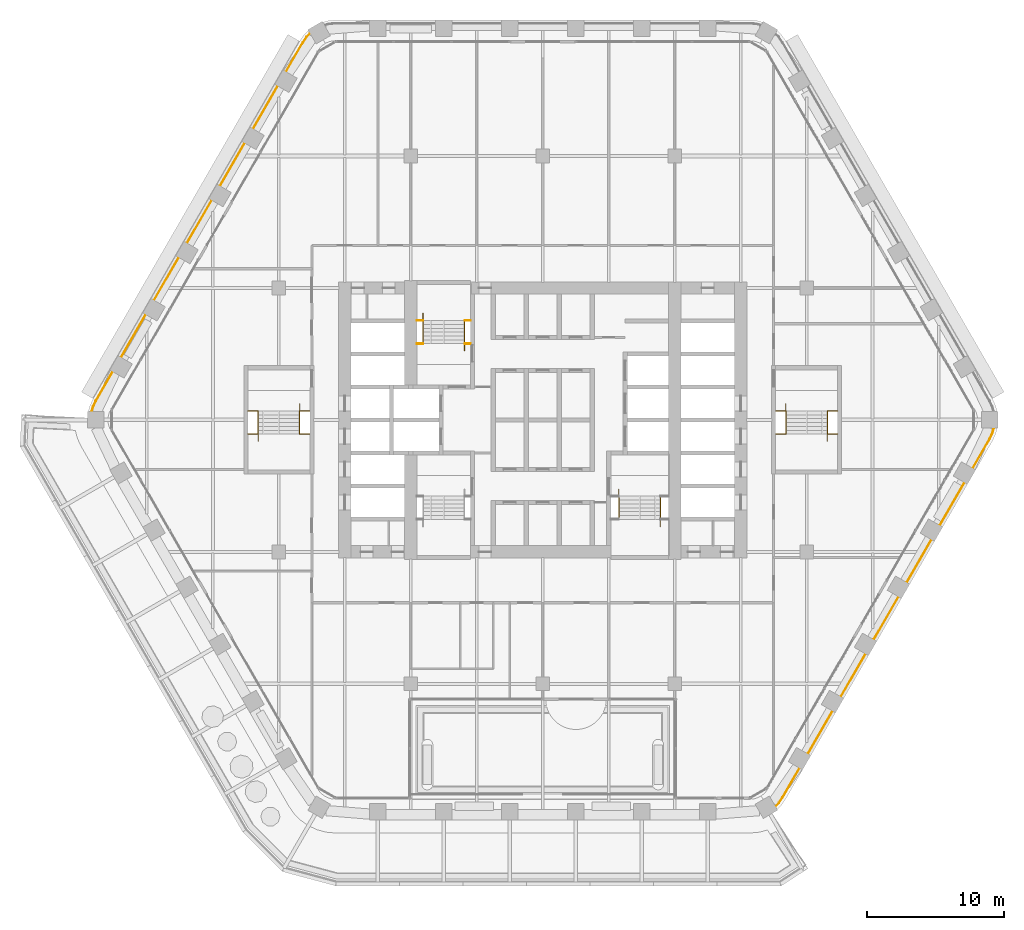
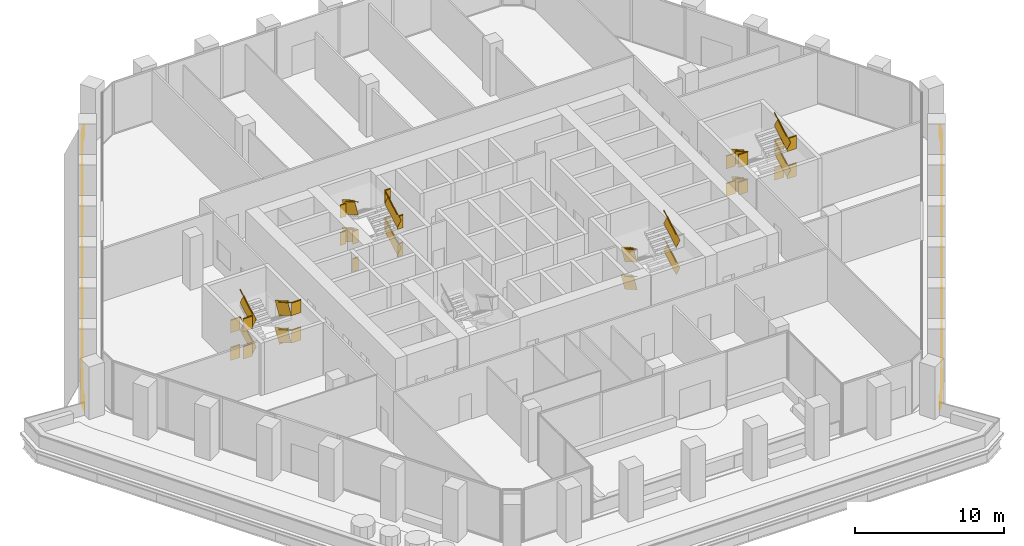
# One storey, part 26 of 27: 9 railings.
"""IFC4 building model written with IfcOpenShell, lengths in metres."""

from ifc_helpers import new_model, si_unit, direction, frame, frame_2d, origin, origin_2d, place, context, subcontext, project, spatial, rectangle, extrude, material, type_object, element, save


model = new_model("IFC4")

# Units and contexts
model_context = context("Model", 3, precision=1e-05, world=origin(), true_north=direction((0.0, 1.0)))
body_context = subcontext(model_context, "Body", "Model", "MODEL_VIEW")
ifc_project = project(units=[si_unit("LENGTHUNIT", "METRE"), si_unit("AREAUNIT", "SQUARE_METRE"), si_unit("VOLUMEUNIT", "CUBIC_METRE"), si_unit("PLANEANGLEUNIT", "RADIAN"), si_unit("MASSUNIT", "GRAM", prefix="KILO")], contexts=[model_context])

# Site, building, storey
site_placement = place(None, origin())
site = spatial("IfcSite", under=ifc_project, at=site_placement, CompositionType="ELEMENT")
building_placement = place(site_placement, origin())
building = spatial("IfcBuilding", under=site, at=building_placement, Name="Kolab Exchange Tower", CompositionType="ELEMENT")
storey_placement = place(building_placement, frame((0.0, 0.0, 109.39990234375)))
storey = spatial("IfcBuildingStorey", under=building, at=storey_placement, Name="L21", CompositionType="ELEMENT", Elevation=109.39990234375)

# Railings
ifc_material_1 = material(Name="Stainless steel 316", Category="steel")
railing_type_1 = type_object("IfcRailingType", Name="GUARD 1100", PredefinedType="GUARDRAIL", material=ifc_material_1)
railing_1_placement = place(storey_placement, frame((-9.14990234375, 5.550048828125, 0.0)))
element("IfcRailing", 1, at=railing_1_placement, inside=storey, type_object=railing_type_1, Name="Guard ST1", PredefinedType="GUARDRAIL", context=body_context, shape_type="SweptSolid", body=[
    extrude(rectangle(XDim=0.05, YDim=0.05, at=origin_2d()), frame((0.0, 0.0, 1.0751953125), z_axis=(1.0, 0.0, 0.0), x_axis=(0.0, 1.0, 0.0)), (0.0, 0.0, 1.0), 0.43994140625),
    extrude(rectangle(XDim=0.012, YDim=1.05009765625, at=frame_2d((0.0, 0.525146484375))), frame((0.0, 0.0, 0.0), z_axis=(1.0, 0.0, 0.0), x_axis=(0.0, 1.0, 0.0)), (0.0, 0.0, 1.0), 0.43994140625),
    extrude(rectangle(XDim=0.05, YDim=0.05, at=origin_2d()), frame((3.4599609375, 0.0, 1.0751953125), z_axis=(1.0, 0.0, 0.0), x_axis=(0.0, 1.0, 0.0)), (0.0, 0.0, 1.0), 0.43994140625),
    extrude(rectangle(XDim=0.012, YDim=1.05009765625, at=frame_2d((0.0, 0.525146484375))), frame((3.4599609375, 0.0, 0.0), z_axis=(1.0, 0.0, 0.0), x_axis=(0.0, 1.0, 0.0)), (0.0, 0.0, 1.0), 0.43994140625),
    extrude(rectangle(XDim=0.05, YDim=0.05, at=origin_2d()), frame((0.0, 1.679931640625, 2.2001953125), z_axis=(1.0, 0.0, 0.0), x_axis=(0.0, 1.0, 0.0)), (0.0, 0.0, 1.0), 0.43994140625),
    extrude(rectangle(XDim=0.012, YDim=1.05009765625, at=frame_2d((0.0, 0.525146484375))), frame((0.0, 1.679931640625, 1.125), z_axis=(1.0, 0.0, 0.0), x_axis=(0.0, 1.0, 0.0)), (0.0, 0.0, 1.0), 0.43994140625),
    extrude(rectangle(XDim=0.05, YDim=0.05, at=origin_2d()), frame((3.4599609375, 1.679931640625, 2.2001953125), z_axis=(1.0, 0.0, 0.0), x_axis=(0.0, 1.0, 0.0)), (0.0, 0.0, 1.0), 0.43994140625),
    extrude(rectangle(XDim=0.012, YDim=1.05009765625, at=frame_2d((0.0, 0.525146484375))), frame((3.4599609375, 1.679931640625, 1.125), z_axis=(1.0, 0.0, 0.0), x_axis=(0.0, 1.0, 0.0)), (0.0, 0.0, 1.0), 0.43994140625),
    extrude(rectangle(XDim=0.05, YDim=0.05, at=origin_2d()), frame((0.0, 0.0, 3.3251953125), z_axis=(1.0, 0.0, 0.0), x_axis=(0.0, 1.0, 0.0)), (0.0, 0.0, 1.0), 0.43994140625),
    extrude(rectangle(XDim=0.012, YDim=1.05009765625, at=frame_2d((0.0, 0.525146484375))), frame((0.0, 0.0, 2.25), z_axis=(1.0, 0.0, 0.0), x_axis=(0.0, 1.0, 0.0)), (0.0, 0.0, 1.0), 0.43994140625),
    extrude(rectangle(XDim=0.05, YDim=0.05, at=origin_2d()), frame((3.4599609375, 0.0, 3.3251953125), z_axis=(1.0, 0.0, 0.0), x_axis=(0.0, 1.0, 0.0)), (0.0, 0.0, 1.0), 0.43994140625),
    extrude(rectangle(XDim=0.012, YDim=1.05009765625, at=frame_2d((0.0, 0.525146484375))), frame((3.4599609375, 0.0, 2.25), z_axis=(1.0, 0.0, 0.0), x_axis=(0.0, 1.0, 0.0)), (0.0, 0.0, 1.0), 0.43994140625),
    extrude(rectangle(XDim=0.05, YDim=0.05, at=origin_2d()), frame((0.0, 1.679931640625, 4.4501953125), z_axis=(1.0, 0.0, 0.0), x_axis=(0.0, 1.0, 0.0)), (0.0, 0.0, 1.0), 0.43994140625),
    extrude(rectangle(XDim=0.012, YDim=1.05009765625, at=frame_2d((0.0, 0.525146484375))), frame((0.0, 1.679931640625, 3.375), z_axis=(1.0, 0.0, 0.0), x_axis=(0.0, 1.0, 0.0)), (0.0, 0.0, 1.0), 0.43994140625),
    extrude(rectangle(XDim=0.05, YDim=0.05, at=origin_2d()), frame((3.4599609375, 1.679931640625, 4.4501953125), z_axis=(1.0, 0.0, 0.0), x_axis=(0.0, 1.0, 0.0)), (0.0, 0.0, 1.0), 0.43994140625),
    extrude(rectangle(XDim=0.012, YDim=1.05009765625, at=frame_2d((0.0, 0.525146484375))), frame((3.4599609375, 1.679931640625, 3.375), z_axis=(1.0, 0.0, 0.0), x_axis=(0.0, 1.0, 0.0)), (0.0, 0.0, 1.0), 0.43994140625),
])
railing_2_placement = place(storey_placement, frame((-5.68994140625, 5.550048828125, 0.160888671875)))
element("IfcRailing", 2, at=railing_2_placement, inside=storey, type_object=railing_type_1, Name="Handrail guard ST1", PredefinedType="GUARDRAIL", context=body_context, shape_type="SweptSolid", body=[
    extrude(rectangle(XDim=0.05, YDim=0.05, at=origin_2d()), frame((0.0, 0.0, 1.0751953125), z_axis=(0.0, 0.867318599139, 0.497753400378), x_axis=(-1.0, 0.0, 0.0)), (0.0, 0.0, 1.0), 1.93701171875),
    extrude(rectangle(XDim=0.012, YDim=1.05009765625, at=frame_2d((0.0, 0.525146484375))), frame((0.0, 0.0, 0.0), z_axis=(0.0, 0.867318599139, 0.497753400378), x_axis=(-1.0, 0.0, 0.0)), (0.0, 0.0, 1.0), 1.93701171875),
    extrude(rectangle(XDim=0.05, YDim=0.05, at=origin_2d()), frame((-3.02001953125, 1.679931640625, 2.2001953125), z_axis=(0.0, -0.867318599139, 0.497753400378), x_axis=(1.0, 0.0, 0.0)), (0.0, 0.0, 1.0), 1.93701171875),
    extrude(rectangle(XDim=0.012, YDim=1.05009765625, at=frame_2d((0.0, 0.525146484375))), frame((-3.02001953125, 1.679931640625, 1.125), z_axis=(0.0, -0.867318599139, 0.497753400378), x_axis=(1.0, 0.0, 0.0)), (0.0, 0.0, 1.0), 1.93701171875),
    extrude(rectangle(XDim=0.05, YDim=0.05, at=origin_2d()), frame((0.0, 0.0, 3.3251953125), z_axis=(0.0, 0.867318599139, 0.497753400378), x_axis=(-1.0, 0.0, 0.0)), (0.0, 0.0, 1.0), 1.93701171875),
    extrude(rectangle(XDim=0.012, YDim=1.05009765625, at=frame_2d((0.0, 0.525146484375))), frame((0.0, 0.0, 2.25), z_axis=(0.0, 0.867318599139, 0.497753400378), x_axis=(-1.0, 0.0, 0.0)), (0.0, 0.0, 1.0), 1.93701171875),
    extrude(rectangle(XDim=0.05, YDim=0.05, at=origin_2d()), frame((-3.02001953125, 1.679931640625, 4.4501953125), z_axis=(0.0, -0.867318599139, 0.497753400378), x_axis=(1.0, 0.0, 0.0)), (0.0, 0.0, 1.0), 1.93701171875),
    extrude(rectangle(XDim=0.012, YDim=1.05009765625, at=frame_2d((0.0, 0.525146484375))), frame((-3.02001953125, 1.679931640625, 3.375), z_axis=(0.0, -0.867318599139, 0.497753400378), x_axis=(1.0, 0.0, 0.0)), (0.0, 0.0, 1.0), 1.93701171875),
])
railing_3_placement = place(storey_placement, frame((5.5400390625, -5.550048828125, 0.160888671875)))
element("IfcRailing", 3, at=railing_3_placement, inside=storey, type_object=railing_type_1, Name="Handrail guard ST2", PredefinedType="GUARDRAIL", context=body_context, shape_type="SweptSolid", body=[
    extrude(rectangle(XDim=0.05, YDim=0.05, at=origin_2d()), frame((0.0, 0.0, 1.0751953125), z_axis=(0.0, -0.867318599139, 0.497753400378), x_axis=(1.0, 0.0, 0.0)), (0.0, 0.0, 1.0), 1.93701171875),
    extrude(rectangle(XDim=0.012, YDim=1.05009765625, at=frame_2d((0.0, 0.525146484375))), frame((0.0, 0.0, 0.0), z_axis=(0.0, -0.867318599139, 0.497753400378), x_axis=(1.0, 0.0, 0.0)), (0.0, 0.0, 1.0), 1.93701171875),
    extrude(rectangle(XDim=0.05, YDim=0.05, at=origin_2d()), frame((3.02001953125, -1.679931640625, 2.2001953125), z_axis=(0.0, 0.867318599139, 0.497753400378), x_axis=(-1.0, 0.0, 0.0)), (0.0, 0.0, 1.0), 1.93701171875),
    extrude(rectangle(XDim=0.012, YDim=1.05009765625, at=frame_2d((0.0, 0.525146484375))), frame((3.02001953125, -1.679931640625, 1.125), z_axis=(0.0, 0.867318599139, 0.497753400378), x_axis=(-1.0, 0.0, 0.0)), (0.0, 0.0, 1.0), 1.93701171875),
    extrude(rectangle(XDim=0.05, YDim=0.05, at=origin_2d()), frame((0.0, 0.0, 3.3251953125), z_axis=(0.0, -0.867318599139, 0.497753400378), x_axis=(1.0, 0.0, 0.0)), (0.0, 0.0, 1.0), 1.93701171875),
    extrude(rectangle(XDim=0.012, YDim=1.05009765625, at=frame_2d((0.0, 0.525146484375))), frame((0.0, 0.0, 2.25), z_axis=(0.0, -0.867318599139, 0.497753400378), x_axis=(1.0, 0.0, 0.0)), (0.0, 0.0, 1.0), 1.93701171875),
    extrude(rectangle(XDim=0.05, YDim=0.05, at=origin_2d()), frame((3.02001953125, -1.679931640625, 4.4501953125), z_axis=(0.0, 0.867318599139, 0.497753400378), x_axis=(-1.0, 0.0, 0.0)), (0.0, 0.0, 1.0), 1.93701171875),
    extrude(rectangle(XDim=0.012, YDim=1.05009765625, at=frame_2d((0.0, 0.525146484375))), frame((3.02001953125, -1.679931640625, 3.375), z_axis=(0.0, 0.867318599139, 0.497753400378), x_axis=(-1.0, 0.0, 0.0)), (0.0, 0.0, 1.0), 1.93701171875),
])
railing_4_placement = place(storey_placement, frame((16.949951171875, 0.64990234375, 0.0)))
element("IfcRailing", 4, at=railing_4_placement, inside=storey, type_object=railing_type_1, Name="Guard ST4", PredefinedType="GUARDRAIL", context=body_context, shape_type="SweptSolid", body=[
    extrude(rectangle(XDim=0.05, YDim=0.05, at=origin_2d()), frame((0.0, 0.0, 1.0751953125), z_axis=(1.0, 0.0, 0.0), x_axis=(0.0, 1.0, 0.0)), (0.0, 0.0, 1.0), 0.739990234375),
    extrude(rectangle(XDim=0.012, YDim=1.05009765625, at=frame_2d((0.0, 0.525146484375))), frame((0.0, 0.0, 0.0), z_axis=(1.0, 0.0, 0.0), x_axis=(0.0, 1.0, 0.0)), (0.0, 0.0, 1.0), 0.739990234375),
    extrude(rectangle(XDim=0.05, YDim=0.05, at=origin_2d()), frame((3.760009765625, 0.0, 1.0751953125), z_axis=(1.0, 0.0, 0.0), x_axis=(0.0, 1.0, 0.0)), (0.0, 0.0, 1.0), 0.739990234375),
    extrude(rectangle(XDim=0.012, YDim=1.05009765625, at=frame_2d((0.0, 0.525146484375))), frame((3.760009765625, 0.0, 0.0), z_axis=(1.0, 0.0, 0.0), x_axis=(0.0, 1.0, 0.0)), (0.0, 0.0, 1.0), 0.739990234375),
    extrude(rectangle(XDim=0.05, YDim=0.05, at=origin_2d()), frame((0.0, -1.679931640625, 2.2001953125), z_axis=(1.0, 0.0, 0.0), x_axis=(0.0, 1.0, 0.0)), (0.0, 0.0, 1.0), 0.739990234375),
    extrude(rectangle(XDim=0.012, YDim=1.05009765625, at=frame_2d((0.0, 0.525146484375))), frame((0.0, -1.679931640625, 1.125), z_axis=(1.0, 0.0, 0.0), x_axis=(0.0, 1.0, 0.0)), (0.0, 0.0, 1.0), 0.739990234375),
    extrude(rectangle(XDim=0.05, YDim=0.05, at=origin_2d()), frame((3.760009765625, -1.679931640625, 2.2001953125), z_axis=(1.0, 0.0, 0.0), x_axis=(0.0, 1.0, 0.0)), (0.0, 0.0, 1.0), 0.739990234375),
    extrude(rectangle(XDim=0.012, YDim=1.05009765625, at=frame_2d((0.0, 0.525146484375))), frame((3.760009765625, -1.679931640625, 1.125), z_axis=(1.0, 0.0, 0.0), x_axis=(0.0, 1.0, 0.0)), (0.0, 0.0, 1.0), 0.739990234375),
    extrude(rectangle(XDim=0.05, YDim=0.05, at=origin_2d()), frame((0.0, 0.0, 3.3251953125), z_axis=(1.0, 0.0, 0.0), x_axis=(0.0, 1.0, 0.0)), (0.0, 0.0, 1.0), 0.739990234375),
    extrude(rectangle(XDim=0.012, YDim=1.05009765625, at=frame_2d((0.0, 0.525146484375))), frame((0.0, 0.0, 2.25), z_axis=(1.0, 0.0, 0.0), x_axis=(0.0, 1.0, 0.0)), (0.0, 0.0, 1.0), 0.739990234375),
    extrude(rectangle(XDim=0.05, YDim=0.05, at=origin_2d()), frame((3.760009765625, 0.0, 3.3251953125), z_axis=(1.0, 0.0, 0.0), x_axis=(0.0, 1.0, 0.0)), (0.0, 0.0, 1.0), 0.739990234375),
    extrude(rectangle(XDim=0.012, YDim=1.05009765625, at=frame_2d((0.0, 0.525146484375))), frame((3.760009765625, 0.0, 2.25), z_axis=(1.0, 0.0, 0.0), x_axis=(0.0, 1.0, 0.0)), (0.0, 0.0, 1.0), 0.739990234375),
    extrude(rectangle(XDim=0.05, YDim=0.05, at=origin_2d()), frame((0.0, -1.679931640625, 4.4501953125), z_axis=(1.0, 0.0, 0.0), x_axis=(0.0, 1.0, 0.0)), (0.0, 0.0, 1.0), 0.739990234375),
    extrude(rectangle(XDim=0.012, YDim=1.05009765625, at=frame_2d((0.0, 0.525146484375))), frame((0.0, -1.679931640625, 3.375), z_axis=(1.0, 0.0, 0.0), x_axis=(0.0, 1.0, 0.0)), (0.0, 0.0, 1.0), 0.739990234375),
    extrude(rectangle(XDim=0.05, YDim=0.05, at=origin_2d()), frame((3.760009765625, -1.679931640625, 4.4501953125), z_axis=(1.0, 0.0, 0.0), x_axis=(0.0, 1.0, 0.0)), (0.0, 0.0, 1.0), 0.739990234375),
    extrude(rectangle(XDim=0.012, YDim=1.05009765625, at=frame_2d((0.0, 0.525146484375))), frame((3.760009765625, -1.679931640625, 3.375), z_axis=(1.0, 0.0, 0.0), x_axis=(0.0, 1.0, 0.0)), (0.0, 0.0, 1.0), 0.739990234375),
])
railing_5_placement = place(storey_placement, frame((17.68994140625, 0.64990234375, 0.160888671875)))
element("IfcRailing", 5, at=railing_5_placement, inside=storey, type_object=railing_type_1, Name="Handrail guard ST4", PredefinedType="GUARDRAIL", context=body_context, shape_type="SweptSolid", body=[
    extrude(rectangle(XDim=0.05, YDim=0.05, at=origin_2d()), frame((0.0, 0.0, 1.0751953125), z_axis=(0.0, -0.867318599139, 0.497753400378), x_axis=(1.0, 0.0, 0.0)), (0.0, 0.0, 1.0), 1.93701171875),
    extrude(rectangle(XDim=0.012, YDim=1.05009765625, at=frame_2d((0.0, 0.525146484375))), frame((0.0, 0.0, 0.0), z_axis=(0.0, -0.867318599139, 0.497753400378), x_axis=(1.0, 0.0, 0.0)), (0.0, 0.0, 1.0), 1.93701171875),
    extrude(rectangle(XDim=0.05, YDim=0.05, at=origin_2d()), frame((3.02001953125, -1.679931640625, 2.2001953125), z_axis=(0.0, 0.867318599139, 0.497753400378), x_axis=(-1.0, 0.0, 0.0)), (0.0, 0.0, 1.0), 1.93701171875),
    extrude(rectangle(XDim=0.012, YDim=1.05009765625, at=frame_2d((0.0, 0.525146484375))), frame((3.02001953125, -1.679931640625, 1.125), z_axis=(0.0, 0.867318599139, 0.497753400378), x_axis=(-1.0, 0.0, 0.0)), (0.0, 0.0, 1.0), 1.93701171875),
    extrude(rectangle(XDim=0.05, YDim=0.05, at=origin_2d()), frame((0.0, 0.0, 3.3251953125), z_axis=(0.0, -0.867318599139, 0.497753400378), x_axis=(1.0, 0.0, 0.0)), (0.0, 0.0, 1.0), 1.93701171875),
    extrude(rectangle(XDim=0.012, YDim=1.05009765625, at=frame_2d((0.0, 0.525146484375))), frame((0.0, 0.0, 2.25), z_axis=(0.0, -0.867318599139, 0.497753400378), x_axis=(1.0, 0.0, 0.0)), (0.0, 0.0, 1.0), 1.93701171875),
    extrude(rectangle(XDim=0.05, YDim=0.05, at=origin_2d()), frame((3.02001953125, -1.679931640625, 4.4501953125), z_axis=(0.0, 0.867318599139, 0.497753400378), x_axis=(-1.0, 0.0, 0.0)), (0.0, 0.0, 1.0), 1.93701171875),
    extrude(rectangle(XDim=0.012, YDim=1.05009765625, at=frame_2d((0.0, 0.525146484375))), frame((3.02001953125, -1.679931640625, 3.375), z_axis=(0.0, 0.867318599139, 0.497753400378), x_axis=(-1.0, 0.0, 0.0)), (0.0, 0.0, 1.0), 1.93701171875),
])
railing_6_placement = place(storey_placement, frame((-21.449951171875, 0.64990234375, 0.0)))
element("IfcRailing", 6, at=railing_6_placement, inside=storey, type_object=railing_type_1, Name="Guard ST5", PredefinedType="GUARDRAIL", context=body_context, shape_type="SweptSolid", body=[
    extrude(rectangle(XDim=0.05, YDim=0.05, at=origin_2d()), frame((0.0, 0.0, 1.0751953125), z_axis=(1.0, 0.0, 0.0), x_axis=(0.0, 1.0, 0.0)), (0.0, 0.0, 1.0), 0.739990234375),
    extrude(rectangle(XDim=0.012, YDim=1.05009765625, at=frame_2d((0.0, 0.525146484375))), frame((0.0, 0.0, 0.0), z_axis=(1.0, 0.0, 0.0), x_axis=(0.0, 1.0, 0.0)), (0.0, 0.0, 1.0), 0.739990234375),
    extrude(rectangle(XDim=0.05, YDim=0.05, at=origin_2d()), frame((3.760009765625, 0.0, 1.0751953125), z_axis=(1.0, 0.0, 0.0), x_axis=(0.0, 1.0, 0.0)), (0.0, 0.0, 1.0), 0.739990234375),
    extrude(rectangle(XDim=0.012, YDim=1.05009765625, at=frame_2d((0.0, 0.525146484375))), frame((3.760009765625, 0.0, 0.0), z_axis=(1.0, 0.0, 0.0), x_axis=(0.0, 1.0, 0.0)), (0.0, 0.0, 1.0), 0.739990234375),
    extrude(rectangle(XDim=0.05, YDim=0.05, at=origin_2d()), frame((0.0, -1.679931640625, 2.2001953125), z_axis=(1.0, 0.0, 0.0), x_axis=(0.0, 1.0, 0.0)), (0.0, 0.0, 1.0), 0.739990234375),
    extrude(rectangle(XDim=0.012, YDim=1.05009765625, at=frame_2d((0.0, 0.525146484375))), frame((0.0, -1.679931640625, 1.125), z_axis=(1.0, 0.0, 0.0), x_axis=(0.0, 1.0, 0.0)), (0.0, 0.0, 1.0), 0.739990234375),
    extrude(rectangle(XDim=0.05, YDim=0.05, at=origin_2d()), frame((3.760009765625, -1.679931640625, 2.2001953125), z_axis=(1.0, 0.0, 0.0), x_axis=(0.0, 1.0, 0.0)), (0.0, 0.0, 1.0), 0.739990234375),
    extrude(rectangle(XDim=0.012, YDim=1.05009765625, at=frame_2d((0.0, 0.525146484375))), frame((3.760009765625, -1.679931640625, 1.125), z_axis=(1.0, 0.0, 0.0), x_axis=(0.0, 1.0, 0.0)), (0.0, 0.0, 1.0), 0.739990234375),
    extrude(rectangle(XDim=0.05, YDim=0.05, at=origin_2d()), frame((0.0, 0.0, 3.3251953125), z_axis=(1.0, 0.0, 0.0), x_axis=(0.0, 1.0, 0.0)), (0.0, 0.0, 1.0), 0.739990234375),
    extrude(rectangle(XDim=0.012, YDim=1.05009765625, at=frame_2d((0.0, 0.525146484375))), frame((0.0, 0.0, 2.25), z_axis=(1.0, 0.0, 0.0), x_axis=(0.0, 1.0, 0.0)), (0.0, 0.0, 1.0), 0.739990234375),
    extrude(rectangle(XDim=0.05, YDim=0.05, at=origin_2d()), frame((3.760009765625, 0.0, 3.3251953125), z_axis=(1.0, 0.0, 0.0), x_axis=(0.0, 1.0, 0.0)), (0.0, 0.0, 1.0), 0.739990234375),
    extrude(rectangle(XDim=0.012, YDim=1.05009765625, at=frame_2d((0.0, 0.525146484375))), frame((3.760009765625, 0.0, 2.25), z_axis=(1.0, 0.0, 0.0), x_axis=(0.0, 1.0, 0.0)), (0.0, 0.0, 1.0), 0.739990234375),
    extrude(rectangle(XDim=0.05, YDim=0.05, at=origin_2d()), frame((0.0, -1.679931640625, 4.4501953125), z_axis=(1.0, 0.0, 0.0), x_axis=(0.0, 1.0, 0.0)), (0.0, 0.0, 1.0), 0.739990234375),
    extrude(rectangle(XDim=0.012, YDim=1.05009765625, at=frame_2d((0.0, 0.525146484375))), frame((0.0, -1.679931640625, 3.375), z_axis=(1.0, 0.0, 0.0), x_axis=(0.0, 1.0, 0.0)), (0.0, 0.0, 1.0), 0.739990234375),
    extrude(rectangle(XDim=0.05, YDim=0.05, at=origin_2d()), frame((3.760009765625, -1.679931640625, 4.4501953125), z_axis=(1.0, 0.0, 0.0), x_axis=(0.0, 1.0, 0.0)), (0.0, 0.0, 1.0), 0.739990234375),
    extrude(rectangle(XDim=0.012, YDim=1.05009765625, at=frame_2d((0.0, 0.525146484375))), frame((3.760009765625, -1.679931640625, 3.375), z_axis=(1.0, 0.0, 0.0), x_axis=(0.0, 1.0, 0.0)), (0.0, 0.0, 1.0), 0.739990234375),
])
railing_7_placement = place(storey_placement, frame((-17.68994140625, 0.64990234375, 0.160888671875)))
element("IfcRailing", 7, at=railing_7_placement, inside=storey, type_object=railing_type_1, Name="Handrail guard ST5", PredefinedType="GUARDRAIL", context=body_context, shape_type="SweptSolid", body=[
    extrude(rectangle(XDim=0.05, YDim=0.05, at=origin_2d()), frame((0.0, 0.0, 1.0751953125), z_axis=(0.0, -0.867318599139, 0.497753400378), x_axis=(1.0, 0.0, 0.0)), (0.0, 0.0, 1.0), 1.93701171875),
    extrude(rectangle(XDim=0.012, YDim=1.05009765625, at=frame_2d((0.0, 0.525146484375))), frame((0.0, 0.0, 0.0), z_axis=(0.0, -0.867318599139, 0.497753400378), x_axis=(1.0, 0.0, 0.0)), (0.0, 0.0, 1.0), 1.93701171875),
    extrude(rectangle(XDim=0.05, YDim=0.05, at=origin_2d()), frame((-3.02001953125, -1.679931640625, 2.2001953125), z_axis=(0.0, 0.867318599139, 0.497753400378), x_axis=(-1.0, 0.0, 0.0)), (0.0, 0.0, 1.0), 1.93701171875),
    extrude(rectangle(XDim=0.012, YDim=1.05009765625, at=frame_2d((0.0, 0.525146484375))), frame((-3.02001953125, -1.679931640625, 1.125), z_axis=(0.0, 0.867318599139, 0.497753400378), x_axis=(-1.0, 0.0, 0.0)), (0.0, 0.0, 1.0), 1.93701171875),
    extrude(rectangle(XDim=0.05, YDim=0.05, at=origin_2d()), frame((0.0, 0.0, 3.3251953125), z_axis=(0.0, -0.867318599139, 0.497753400378), x_axis=(1.0, 0.0, 0.0)), (0.0, 0.0, 1.0), 1.93701171875),
    extrude(rectangle(XDim=0.012, YDim=1.05009765625, at=frame_2d((0.0, 0.525146484375))), frame((0.0, 0.0, 2.25), z_axis=(0.0, -0.867318599139, 0.497753400378), x_axis=(1.0, 0.0, 0.0)), (0.0, 0.0, 1.0), 1.93701171875),
    extrude(rectangle(XDim=0.05, YDim=0.05, at=origin_2d()), frame((-3.02001953125, -1.679931640625, 4.4501953125), z_axis=(0.0, 0.867318599139, 0.497753400378), x_axis=(-1.0, 0.0, 0.0)), (0.0, 0.0, 1.0), 1.93701171875),
    extrude(rectangle(XDim=0.012, YDim=1.05009765625, at=frame_2d((0.0, 0.525146484375))), frame((-3.02001953125, -1.679931640625, 3.375), z_axis=(0.0, 0.867318599139, 0.497753400378), x_axis=(-1.0, 0.0, 0.0)), (0.0, 0.0, 1.0), 1.93701171875),
])
ifc_material_2 = material(Name="Steel S235", Category="steel")
railing_type_2 = type_object("IfcRailingType", Name="GUARD 1100 GLASS BALUSTRADE AND STEEL TOP RAIL", PredefinedType="GUARDRAIL", material=ifc_material_2)
railing_8_placement = place(storey_placement, frame((16.9208984375, -28.119873046875, 0.0)))
element("IfcRailing", 8, at=railing_8_placement, inside=storey, type_object=railing_type_2, Name="Guard", PredefinedType="GUARDRAIL", context=body_context, shape_type="SweptSolid", body=[
    extrude(rectangle(XDim=0.05, YDim=0.05, at=origin_2d()), frame((0.0, 0.0, 1.0751953125), z_axis=(0.707106781187, 0.707106781187, 0.0), x_axis=(-0.707106781187, 0.707106781187, 0.0)), (0.0, 0.0, 1.0), 0.358642578125),
    extrude(rectangle(XDim=0.012, YDim=1.05009765625, at=frame_2d((0.0, 0.525146484375))), frame((0.0, 0.0, 0.0), z_axis=(0.707106781187, 0.707106781187, 0.0), x_axis=(-0.707106781187, 0.707106781187, 0.0)), (0.0, 0.0, 1.0), 0.358642578125),
    extrude(rectangle(XDim=0.05, YDim=0.05, at=origin_2d()), frame((0.253662109375, 0.253662109375, 1.0751953125), z_axis=(0.573359816273, 0.819303680624, 0.0), x_axis=(-0.819303680624, 0.573359816273, 0.0)), (0.0, 0.0, 1.0), 0.4794921875),
    extrude(rectangle(XDim=0.012, YDim=1.05009765625, at=frame_2d((0.0, 0.525146484375))), frame((0.253662109375, 0.253662109375, 0.0), z_axis=(0.573359816273, 0.819303680624, 0.0), x_axis=(-0.819303680624, 0.573359816273, 0.0)), (0.0, 0.0, 1.0), 0.4794921875),
    extrude(rectangle(XDim=0.05, YDim=0.05, at=origin_2d()), frame((0.528564453125, 0.646484375, 1.0751953125), z_axis=(0.500064973171, 0.865987888257, 0.0), x_axis=(-0.865987888257, 0.500064973171, 0.0)), (0.0, 0.0, 1.0), 2.468017578125),
    extrude(rectangle(XDim=0.012, YDim=1.05009765625, at=frame_2d((0.0, 0.525146484375))), frame((0.528564453125, 0.646484375, 0.0), z_axis=(0.500064973171, 0.865987888257, 0.0), x_axis=(-0.865987888257, 0.500064973171, 0.0)), (0.0, 0.0, 1.0), 2.468017578125),
    extrude(rectangle(XDim=0.05, YDim=0.05, at=origin_2d()), frame((2.362548828125, 3.822998046875, 1.0751953125), z_axis=(0.500012057535, 0.866018442252, 0.0), x_axis=(-0.866018442252, 0.500012057535, 0.0)), (0.0, 0.0, 1.0), 3.60009765625),
    extrude(rectangle(XDim=0.012, YDim=1.05009765625, at=frame_2d((0.0, 0.525146484375))), frame((2.362548828125, 3.822998046875, 0.0), z_axis=(0.500012057535, 0.866018442252, 0.0), x_axis=(-0.866018442252, 0.500012057535, 0.0)), (0.0, 0.0, 1.0), 3.60009765625),
    extrude(rectangle(XDim=0.05, YDim=0.05, at=origin_2d()), frame((4.7626953125, 7.97998046875, 1.0751953125), z_axis=(0.499961193289, 0.866047807691, 0.0), x_axis=(-0.866047807691, 0.499961193289, 0.0)), (0.0, 0.0, 1.0), 3.599853515625),
    extrude(rectangle(XDim=0.012, YDim=1.05009765625, at=frame_2d((0.0, 0.525146484375))), frame((4.7626953125, 7.97998046875, 0.0), z_axis=(0.499961193289, 0.866047807691, 0.0), x_axis=(-0.866047807691, 0.499961193289, 0.0)), (0.0, 0.0, 1.0), 3.599853515625),
    extrude(rectangle(XDim=0.05, YDim=0.05, at=origin_2d()), frame((7.16259765625, 12.13671875, 1.0751953125), z_axis=(0.500012057535, 0.866018442252, 0.0), x_axis=(-0.866018442252, 0.500012057535, 0.0)), (0.0, 0.0, 1.0), 3.60009765625),
    extrude(rectangle(XDim=0.012, YDim=1.05009765625, at=frame_2d((0.0, 0.525146484375))), frame((7.16259765625, 12.13671875, 0.0), z_axis=(0.500012057535, 0.866018442252, 0.0), x_axis=(-0.866018442252, 0.500012057535, 0.0)), (0.0, 0.0, 1.0), 3.60009765625),
    extrude(rectangle(XDim=0.05, YDim=0.05, at=origin_2d()), frame((9.5625, 16.293701171875, 1.0751953125), z_axis=(0.500012057535, 0.866018442252, 0.0), x_axis=(-0.866018442252, 0.500012057535, 0.0)), (0.0, 0.0, 1.0), 3.60009765625),
    extrude(rectangle(XDim=0.012, YDim=1.05009765625, at=frame_2d((0.0, 0.525146484375))), frame((9.5625, 16.293701171875, 0.0), z_axis=(0.500012057535, 0.866018442252, 0.0), x_axis=(-0.866018442252, 0.500012057535, 0.0)), (0.0, 0.0, 1.0), 3.60009765625),
    extrude(rectangle(XDim=0.05, YDim=0.05, at=origin_2d()), frame((11.962646484375, 20.45068359375, 1.0751953125), z_axis=(0.500012057535, 0.866018442252, 0.0), x_axis=(-0.866018442252, 0.500012057535, 0.0)), (0.0, 0.0, 1.0), 3.60009765625),
    extrude(rectangle(XDim=0.012, YDim=1.05009765625, at=frame_2d((0.0, 0.525146484375))), frame((11.962646484375, 20.45068359375, 0.0), z_axis=(0.500012057535, 0.866018442252, 0.0), x_axis=(-0.866018442252, 0.500012057535, 0.0)), (0.0, 0.0, 1.0), 3.60009765625),
    extrude(rectangle(XDim=0.05, YDim=0.05, at=origin_2d()), frame((14.362548828125, 24.607666015625, 1.0751953125), z_axis=(0.500064973171, 0.865987888257, 0.0), x_axis=(-0.865987888257, 0.500064973171, 0.0)), (0.0, 0.0, 1.0), 2.468017578125),
    extrude(rectangle(XDim=0.012, YDim=1.05009765625, at=frame_2d((0.0, 0.525146484375))), frame((14.362548828125, 24.607666015625, 0.0), z_axis=(0.500064973171, 0.865987888257, 0.0), x_axis=(-0.865987888257, 0.500064973171, 0.0)), (0.0, 0.0, 1.0), 2.468017578125),
    extrude(rectangle(XDim=0.05, YDim=0.05, at=origin_2d()), frame((15.5966796875, 26.744873046875, 1.0751953125), z_axis=(0.422383329074, 0.906417300872, 0.0), x_axis=(-0.906417300872, 0.422383329074, 0.0)), (0.0, 0.0, 1.0), 0.479248046875),
    extrude(rectangle(XDim=0.012, YDim=1.05009765625, at=frame_2d((0.0, 0.525146484375))), frame((15.5966796875, 26.744873046875, 0.0), z_axis=(0.422383329074, 0.906417300872, 0.0), x_axis=(-0.906417300872, 0.422383329074, 0.0)), (0.0, 0.0, 1.0), 0.479248046875),
    extrude(rectangle(XDim=0.05, YDim=0.05, at=origin_2d()), frame((15.799072265625, 27.17919921875, 1.0751953125), z_axis=(0.259144041577, 0.965838685141, 0.0), x_axis=(-0.965838685141, 0.259144041577, 0.0)), (0.0, 0.0, 1.0), 0.35888671875),
    extrude(rectangle(XDim=0.012, YDim=1.05009765625, at=frame_2d((0.0, 0.525146484375))), frame((15.799072265625, 27.17919921875, 0.0), z_axis=(0.259144041577, 0.965838685141, 0.0), x_axis=(-0.965838685141, 0.259144041577, 0.0)), (0.0, 0.0, 1.0), 0.35888671875),
])
railing_9_placement = place(storey_placement, frame((-16.9208984375, 28.119873046875, 0.0)))
element("IfcRailing", 9, at=railing_9_placement, inside=storey, type_object=railing_type_2, Name="Guard", PredefinedType="GUARDRAIL", context=body_context, shape_type="SweptSolid", body=[
    extrude(rectangle(XDim=0.05, YDim=0.05, at=origin_2d()), frame((0.0, 0.0, 1.0751953125), z_axis=(-0.707106781187, -0.707106781187, 0.0), x_axis=(0.707106781187, -0.707106781187, 0.0)), (0.0, 0.0, 1.0), 0.358642578125),
    extrude(rectangle(XDim=0.012, YDim=1.05009765625, at=frame_2d((0.0, 0.525146484375))), frame((0.0, 0.0, 0.0), z_axis=(-0.707106781187, -0.707106781187, 0.0), x_axis=(0.707106781187, -0.707106781187, 0.0)), (0.0, 0.0, 1.0), 0.358642578125),
    extrude(rectangle(XDim=0.05, YDim=0.05, at=origin_2d()), frame((-0.253662109375, -0.253662109375, 1.0751953125), z_axis=(-0.573359816273, -0.819303680624, 0.0), x_axis=(0.819303680624, -0.573359816273, 0.0)), (0.0, 0.0, 1.0), 0.4794921875),
    extrude(rectangle(XDim=0.012, YDim=1.05009765625, at=frame_2d((0.0, 0.525146484375))), frame((-0.253662109375, -0.253662109375, 0.0), z_axis=(-0.573359816273, -0.819303680624, 0.0), x_axis=(0.819303680624, -0.573359816273, 0.0)), (0.0, 0.0, 1.0), 0.4794921875),
    extrude(rectangle(XDim=0.05, YDim=0.05, at=origin_2d()), frame((-0.528564453125, -0.646484375, 1.0751953125), z_axis=(-0.500064973171, -0.865987888257, 0.0), x_axis=(0.865987888257, -0.500064973171, 0.0)), (0.0, 0.0, 1.0), 2.468017578125),
    extrude(rectangle(XDim=0.012, YDim=1.05009765625, at=frame_2d((0.0, 0.525146484375))), frame((-0.528564453125, -0.646484375, 0.0), z_axis=(-0.500064973171, -0.865987888257, 0.0), x_axis=(0.865987888257, -0.500064973171, 0.0)), (0.0, 0.0, 1.0), 2.468017578125),
    extrude(rectangle(XDim=0.05, YDim=0.05, at=origin_2d()), frame((-2.362548828125, -3.822998046875, 1.0751953125), z_axis=(-0.500012057535, -0.866018442252, 0.0), x_axis=(0.866018442252, -0.500012057535, 0.0)), (0.0, 0.0, 1.0), 3.60009765625),
    extrude(rectangle(XDim=0.012, YDim=1.05009765625, at=frame_2d((0.0, 0.525146484375))), frame((-2.362548828125, -3.822998046875, 0.0), z_axis=(-0.500012057535, -0.866018442252, 0.0), x_axis=(0.866018442252, -0.500012057535, 0.0)), (0.0, 0.0, 1.0), 3.60009765625),
    extrude(rectangle(XDim=0.05, YDim=0.05, at=origin_2d()), frame((-4.7626953125, -7.97998046875, 1.0751953125), z_axis=(-0.499961193289, -0.866047807691, 0.0), x_axis=(0.866047807691, -0.499961193289, 0.0)), (0.0, 0.0, 1.0), 3.599853515625),
    extrude(rectangle(XDim=0.012, YDim=1.05009765625, at=frame_2d((0.0, 0.525146484375))), frame((-4.7626953125, -7.97998046875, 0.0), z_axis=(-0.499961193289, -0.866047807691, 0.0), x_axis=(0.866047807691, -0.499961193289, 0.0)), (0.0, 0.0, 1.0), 3.599853515625),
    extrude(rectangle(XDim=0.05, YDim=0.05, at=origin_2d()), frame((-7.16259765625, -12.13671875, 1.0751953125), z_axis=(-0.500012057535, -0.866018442252, 0.0), x_axis=(0.866018442252, -0.500012057535, 0.0)), (0.0, 0.0, 1.0), 3.60009765625),
    extrude(rectangle(XDim=0.012, YDim=1.05009765625, at=frame_2d((0.0, 0.525146484375))), frame((-7.16259765625, -12.13671875, 0.0), z_axis=(-0.500012057535, -0.866018442252, 0.0), x_axis=(0.866018442252, -0.500012057535, 0.0)), (0.0, 0.0, 1.0), 3.60009765625),
    extrude(rectangle(XDim=0.05, YDim=0.05, at=origin_2d()), frame((-9.5625, -16.293701171875, 1.0751953125), z_axis=(-0.500012057535, -0.866018442252, 0.0), x_axis=(0.866018442252, -0.500012057535, 0.0)), (0.0, 0.0, 1.0), 3.60009765625),
    extrude(rectangle(XDim=0.012, YDim=1.05009765625, at=frame_2d((0.0, 0.525146484375))), frame((-9.5625, -16.293701171875, 0.0), z_axis=(-0.500012057535, -0.866018442252, 0.0), x_axis=(0.866018442252, -0.500012057535, 0.0)), (0.0, 0.0, 1.0), 3.60009765625),
    extrude(rectangle(XDim=0.05, YDim=0.05, at=origin_2d()), frame((-11.962646484375, -20.45068359375, 1.0751953125), z_axis=(-0.500012057535, -0.866018442252, 0.0), x_axis=(0.866018442252, -0.500012057535, 0.0)), (0.0, 0.0, 1.0), 3.60009765625),
    extrude(rectangle(XDim=0.012, YDim=1.05009765625, at=frame_2d((0.0, 0.525146484375))), frame((-11.962646484375, -20.45068359375, 0.0), z_axis=(-0.500012057535, -0.866018442252, 0.0), x_axis=(0.866018442252, -0.500012057535, 0.0)), (0.0, 0.0, 1.0), 3.60009765625),
    extrude(rectangle(XDim=0.05, YDim=0.05, at=origin_2d()), frame((-14.362548828125, -24.607666015625, 1.0751953125), z_axis=(-0.500064973171, -0.865987888257, 0.0), x_axis=(0.865987888257, -0.500064973171, 0.0)), (0.0, 0.0, 1.0), 2.468017578125),
    extrude(rectangle(XDim=0.012, YDim=1.05009765625, at=frame_2d((0.0, 0.525146484375))), frame((-14.362548828125, -24.607666015625, 0.0), z_axis=(-0.500064973171, -0.865987888257, 0.0), x_axis=(0.865987888257, -0.500064973171, 0.0)), (0.0, 0.0, 1.0), 2.468017578125),
    extrude(rectangle(XDim=0.05, YDim=0.05, at=origin_2d()), frame((-15.5966796875, -26.744873046875, 1.0751953125), z_axis=(-0.422383329074, -0.906417300872, 0.0), x_axis=(0.906417300872, -0.422383329074, 0.0)), (0.0, 0.0, 1.0), 0.479248046875),
    extrude(rectangle(XDim=0.012, YDim=1.05009765625, at=frame_2d((0.0, 0.525146484375))), frame((-15.5966796875, -26.744873046875, 0.0), z_axis=(-0.422383329074, -0.906417300872, 0.0), x_axis=(0.906417300872, -0.422383329074, 0.0)), (0.0, 0.0, 1.0), 0.479248046875),
    extrude(rectangle(XDim=0.05, YDim=0.05, at=origin_2d()), frame((-15.799072265625, -27.17919921875, 1.0751953125), z_axis=(-0.259144041577, -0.965838685141, 0.0), x_axis=(0.965838685141, -0.259144041577, 0.0)), (0.0, 0.0, 1.0), 0.35888671875),
    extrude(rectangle(XDim=0.012, YDim=1.05009765625, at=frame_2d((0.0, 0.525146484375))), frame((-15.799072265625, -27.17919921875, 0.0), z_axis=(-0.259144041577, -0.965838685141, 0.0), x_axis=(0.965838685141, -0.259144041577, 0.0)), (0.0, 0.0, 1.0), 0.35888671875),
])

save(model, "model.ifc")
